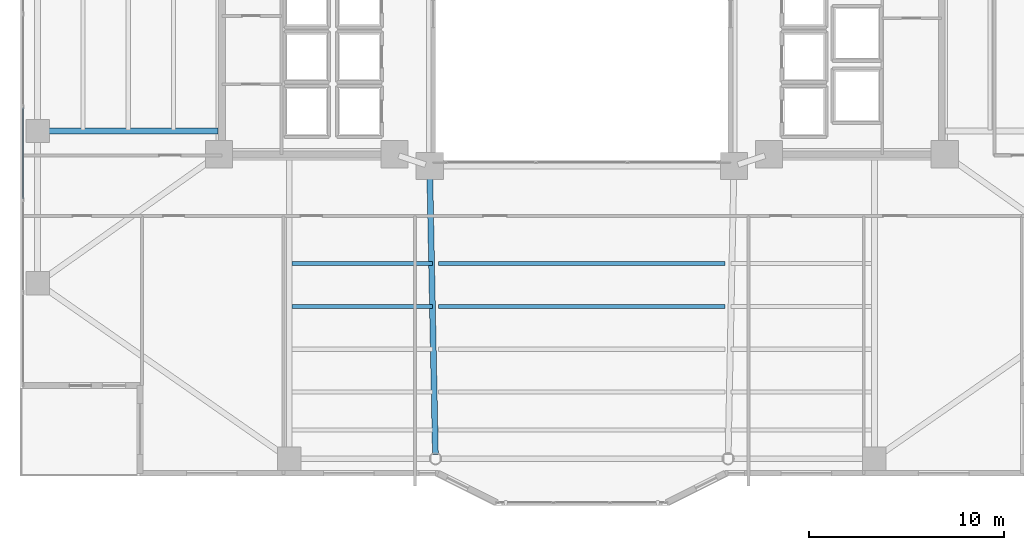
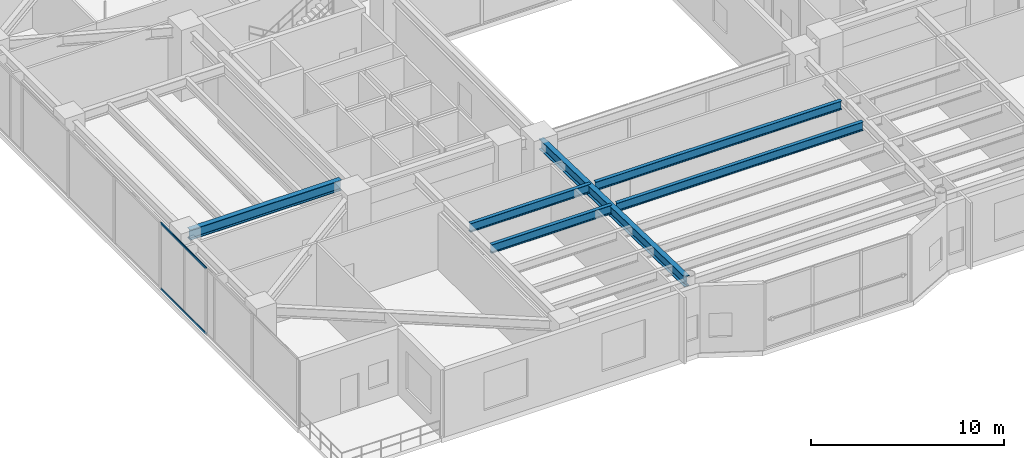
# One storey, part 5 of 39: 6 beams, 2 members, 1 element without a shape of its own.
"""IFC4 building model written with IfcOpenShell, lengths in metres."""

from ifc_helpers import new_model, si_unit, direction, frame, origin, origin_2d, place, context, subcontext, project, spatial, hollow_rectangle, i_section, extrude, material, layer, layer_set, material_profile, profile_set, type_object, element, aggregate, save


model = new_model("IFC4")

# Units and contexts
model_context = context("Model", 3, precision=1e-05, world=origin(), true_north=direction((0.0, 1.0)))
body_context = subcontext(model_context, "Body", "Model", "MODEL_VIEW")
ifc_project = project(units=[si_unit("LENGTHUNIT", "METRE"), si_unit("AREAUNIT", "SQUARE_METRE"), si_unit("VOLUMEUNIT", "CUBIC_METRE"), si_unit("PLANEANGLEUNIT", "RADIAN"), si_unit("MASSUNIT", "GRAM", prefix="KILO")], contexts=[model_context])

# Site, building, storey
site_placement = place(None, origin())
site = spatial("IfcSite", under=ifc_project, at=site_placement, CompositionType="ELEMENT")
building_placement = place(site_placement, origin())
building = spatial("IfcBuilding", under=site, at=building_placement, Name="Tarnavaz Court Tower", CompositionType="ELEMENT")
storey_placement = place(building_placement, frame((0.0, 0.0, 68.699951171875)))
storey = spatial("IfcBuildingStorey", under=building, at=storey_placement, Name="L18", CompositionType="ELEMENT", Elevation=68.699951171875)

# Beams
ifc_material_1 = material(Name="Steel S355", Category="steel")
ifc_material_profile_1 = material_profile(ifc_material_1, i_section(OverallWidth=0.300048828125, OverallDepth=0.64990234375, WebThickness=0.01611328125, FlangeThickness=0.031005859375, FilletRadius=0.027099609375, at=origin_2d()), Name="HEB 650")
ifc_profile_set_1 = profile_set([ifc_material_profile_1], Name="Steel S355")
beam_type_1 = type_object("IfcBeamType", Name="BM-G-HEB650", PredefinedType="USERDEFINED", material=ifc_profile_set_1)
beam_1_placement = place(storey_placement, frame((-7.795654296875, -8.02001953125, 3.875), z_axis=(0.020000023066, -0.999799979535, 0.0), x_axis=(0.999799979535, 0.020000023066, 0.0)))
element("IfcBeam", 1, at=beam_1_placement, inside=storey, type_object=beam_type_1, Name="L18 Beam RG-06", ObjectType="GIRDER", PredefinedType="USERDEFINED", context=body_context, shape_type="SweptSolid", body=[
    extrude(i_section(OverallWidth=0.300048828125, OverallDepth=0.64990234375, WebThickness=0.01611328125, FlangeThickness=0.031005859375, FilletRadius=0.027099609375, at=origin_2d()), origin(), (0.0, 0.0, 1.0), 14.56298828125),
])
beam_2_placement = place(storey_placement, frame((-18.639892578125, -6.0, 3.875), z_axis=(-1.0, 0.0, 0.0), x_axis=(0.0, -1.0, 0.0)))
element("IfcBeam", 2, at=beam_2_placement, inside=storey, type_object=beam_type_1, Name="L18 Beam RG-13", ObjectType="GIRDER", PredefinedType="USERDEFINED", context=body_context, shape_type="SweptSolid", body=[
    extrude(i_section(OverallWidth=0.300048828125, OverallDepth=0.64990234375, WebThickness=0.01611328125, FlangeThickness=0.031005859375, FilletRadius=0.027099609375, at=origin_2d()), origin(), (0.0, 0.0, 1.0), 9.0400390625),
])
ifc_material_profile_2 = material_profile(ifc_material_1, i_section(OverallWidth=0.2099609375, OverallDepth=0.550048828125, WebThickness=0.010986328125, FlangeThickness=0.01708984375, FilletRadius=0.02392578125, at=origin_2d()), Name="IPE 550")
ifc_profile_set_2 = profile_set([ifc_material_profile_2], Name="Steel S355")
beam_type_2 = type_object("IfcBeamType", Name="BM-J-IPE550", PredefinedType="JOIST", material=ifc_profile_set_2)
beam_3_placement = place(storey_placement, frame((-14.85009765625, -12.7958984375, 3.925048828125), z_axis=(1.0, 0.0, 0.0), x_axis=(0.0, 1.0, 0.0)))
element("IfcBeam", 3, at=beam_3_placement, inside=storey, type_object=beam_type_2, Name="L18 Beam JS1-1", PredefinedType="JOIST", context=body_context, shape_type="SweptSolid", body=[
    extrude(i_section(OverallWidth=0.2099609375, OverallDepth=0.550048828125, WebThickness=0.010986328125, FlangeThickness=0.01708984375, FilletRadius=0.02392578125, at=origin_2d()), origin(), (0.0, 0.0, 1.0), 7.2001953125),
])
beam_4_placement = place(storey_placement, frame((-7.35009765625, -12.7958984375, 3.925048828125), z_axis=(1.0, 0.0, 0.0), x_axis=(0.0, 1.0, 0.0)))
element("IfcBeam", 4, at=beam_4_placement, inside=storey, type_object=beam_type_2, Name="L18 Beam JS1-2", PredefinedType="JOIST", context=body_context, shape_type="SweptSolid", body=[
    extrude(i_section(OverallWidth=0.2099609375, OverallDepth=0.550048828125, WebThickness=0.010986328125, FlangeThickness=0.01708984375, FilletRadius=0.02392578125, at=origin_2d()), origin(), (0.0, 0.0, 1.0), 14.7001953125),
])
beam_5_placement = place(storey_placement, frame((-14.85009765625, -14.991943359375, 3.925048828125), z_axis=(1.0, 0.0, 0.0), x_axis=(0.0, 1.0, 0.0)))
element("IfcBeam", 5, at=beam_5_placement, inside=storey, type_object=beam_type_2, Name="L18 Beam JS2-1", PredefinedType="JOIST", context=body_context, shape_type="SweptSolid", body=[
    extrude(i_section(OverallWidth=0.2099609375, OverallDepth=0.550048828125, WebThickness=0.010986328125, FlangeThickness=0.01708984375, FilletRadius=0.02392578125, at=origin_2d()), origin(), (0.0, 0.0, 1.0), 7.2001953125),
])
beam_6_placement = place(storey_placement, frame((-7.35009765625, -14.991943359375, 3.925048828125), z_axis=(1.0, 0.0, 0.0), x_axis=(0.0, 1.0, 0.0)))
element("IfcBeam", 6, at=beam_6_placement, inside=storey, type_object=beam_type_2, Name="L18 Beam JS2-2", PredefinedType="JOIST", context=body_context, shape_type="SweptSolid", body=[
    extrude(i_section(OverallWidth=0.2099609375, OverallDepth=0.550048828125, WebThickness=0.010986328125, FlangeThickness=0.01708984375, FilletRadius=0.02392578125, at=origin_2d()), origin(), (0.0, 0.0, 1.0), 14.7001953125),
])

# Curtain wall, members
ifc_material_2 = material(Name="Anodised Aluminium 6063-T6 and Solar Low-E Glazing", Category="aluminium")
ifc_layer = layer(ifc_material_2, 0.199951171875)
ifc_layer_set = layer_set([ifc_layer], Name="Anodised Aluminium 6063-T6 and Solar Low-E Glazing")
curtain_wall_type = type_object("IfcCurtainWallType", Name="CW-SYS-05", PredefinedType="NOTDEFINED", material=ifc_layer_set)
curtain_wall_placement = place(storey_placement, origin())
curtain_wall = element("IfcCurtainWall", 7, at=curtain_wall_placement, inside=storey, type_object=curtain_wall_type, Name="L18 Sky-Portal Curtain Wall 2", PredefinedType="NOTDEFINED")
ifc_material_3 = material(Name="Anodised Aluminium 6063-T6", Category="aluminium")
ifc_material_profile_3 = material_profile(ifc_material_3, hollow_rectangle(XDim=0.06494140625, YDim=0.139892578125, WallThickness=0.00390625, InnerFilletRadius=0.00390625, OuterFilletRadius=0.008056640625, at=origin_2d()), Name="ALU RHS 140X65X4")
ifc_profile_set_3 = profile_set([ifc_material_profile_3], Name="Anodised Aluminium 6063-T6")
member_type = type_object("IfcMemberType", Name="CW-TRN-140", PredefinedType="USERDEFINED", material=ifc_profile_set_3)
member_1_placement = place(storey_placement, frame((-28.64990234375, -9.482421875, 0.032470703125), z_axis=(0.0, 1.0, 0.0), x_axis=(-1.0, 0.0, 0.0)))
member_1 = element("IfcMember", 8, at=member_1_placement, type_object=member_type, Name="CW transom 3.1", ObjectType="TRANSOM", PredefinedType="USERDEFINED", context=body_context, shape_type="SweptSolid", body=[
    extrude(hollow_rectangle(XDim=0.06494140625, YDim=0.139892578125, WallThickness=0.00390625, InnerFilletRadius=0.00390625, OuterFilletRadius=0.008056640625, at=origin_2d()), origin(), (0.0, 0.0, 1.0), 4.677490234375),
])
member_2_placement = place(storey_placement, frame((-28.64990234375, -9.482421875, 4.16748046875), z_axis=(0.0, 1.0, 0.0), x_axis=(-1.0, 0.0, 0.0)))
member_2 = element("IfcMember", 9, at=member_2_placement, type_object=member_type, Name="CW transom 3.2", ObjectType="TRANSOM", PredefinedType="USERDEFINED", context=body_context, shape_type="SweptSolid", body=[
    extrude(hollow_rectangle(XDim=0.06494140625, YDim=0.139892578125, WallThickness=0.00390625, InnerFilletRadius=0.00390625, OuterFilletRadius=0.008056640625, at=origin_2d()), origin(), (0.0, 0.0, 1.0), 4.677490234375),
])
aggregate(curtain_wall, [member_1, member_2])

save(model, "model.ifc")
